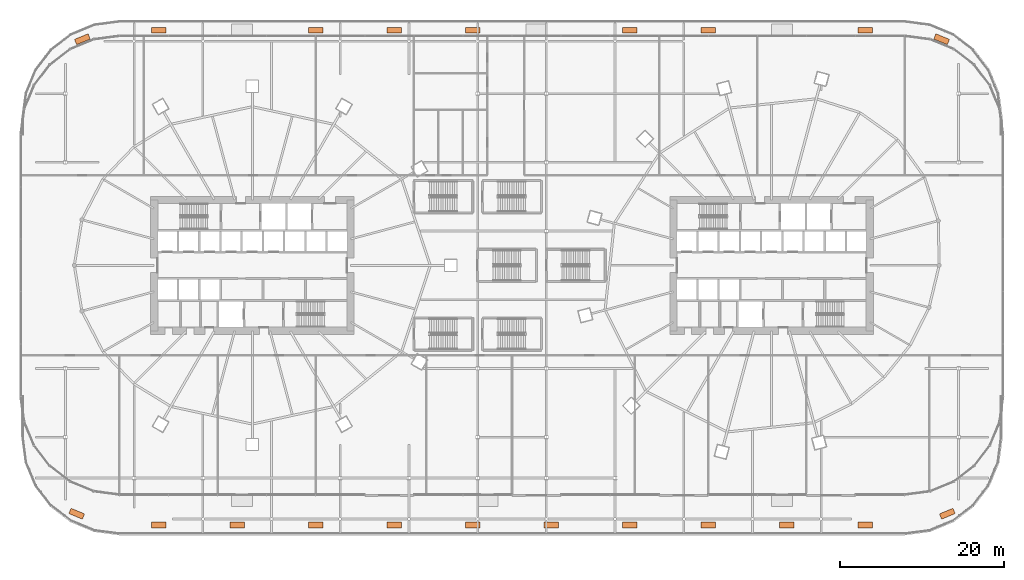
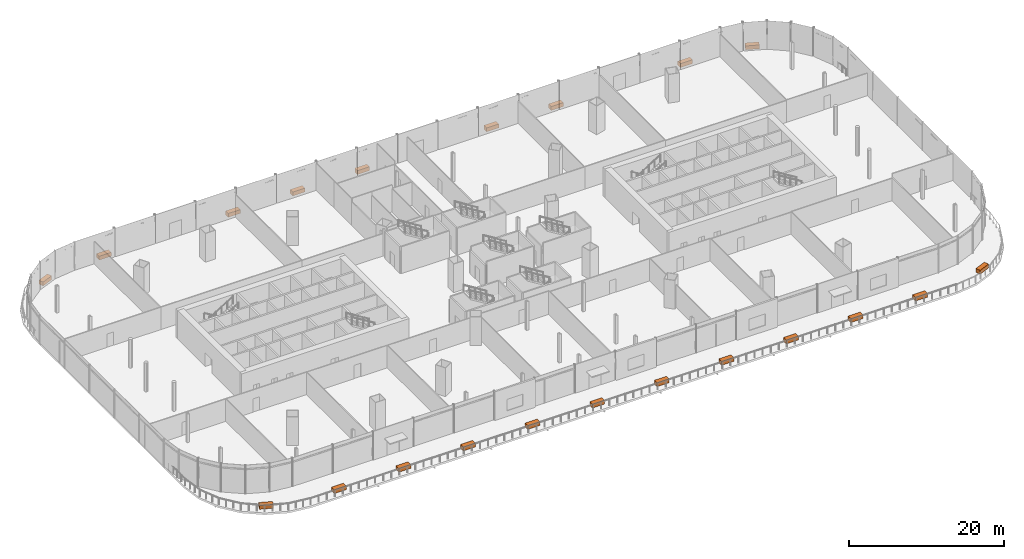
# One storey, part 52 of 52: 21 proxies.
"""IFC4 building model written with IfcOpenShell, lengths in metres."""

from ifc_helpers import new_model, si_unit, direction, frame, origin, origin_2d, place, context, subcontext, project, spatial, rectangle, extrude, material, type_object, element, save


model = new_model("IFC4")

# Units and contexts
model_context = context("Model", 3, precision=1e-05, world=origin(), true_north=direction((0.0, 1.0)))
body_context = subcontext(model_context, "Body", "Model", "MODEL_VIEW")
ifc_project = project(units=[si_unit("LENGTHUNIT", "METRE"), si_unit("AREAUNIT", "SQUARE_METRE"), si_unit("VOLUMEUNIT", "CUBIC_METRE"), si_unit("PLANEANGLEUNIT", "RADIAN"), si_unit("MASSUNIT", "GRAM", prefix="KILO")], contexts=[model_context])

# Site, building, storey
site_placement = place(None, origin())
site = spatial("IfcSite", under=ifc_project, at=site_placement, CompositionType="ELEMENT")
building_placement = place(site_placement, origin())
building = spatial("IfcBuilding", under=site, at=building_placement, Name="Rimbun Link Towers", CompositionType="ELEMENT")
storey_placement = place(building_placement, frame((0.0, 0.0, 21.0)))
storey = spatial("IfcBuildingStorey", under=building, at=storey_placement, Name="L04", CompositionType="ELEMENT", Elevation=21.0)

# Proxies
ifc_material = material(Name="Concrete C30/37", Category="concrete")
building_element_proxy_type = type_object("IfcBuildingElementProxyType", Name="PLANTER precast box 1800X700X600", PredefinedType="USERDEFINED", material=ifc_material)
for number, where, z_axis, x_axis, name in (
    (1, (-53.22021484375, -30.3623046875, 0.0), (0.0, 0.0, 1.0), (0.923881438965, -0.382678829747, 0.0), "PLANTER"),
    (2, (-43.188232421875, -31.75, 0.0), (0.0, 0.0, 1.0), (1.0, 0.0, 0.0), "PLANTER"),
    (3, (-33.5908203125, -31.75, 0.0), (0.0, 0.0, 1.0), (1.0, 0.0, 0.0), "PLANTER"),
    (4, (-23.993408203125, -31.75, 0.0), (0.0, 0.0, 1.0), (1.0, 0.0, 0.0), "PLANTER"),
    (5, (-14.39599609375, -31.75, 0.0), (0.0, 0.0, 1.0), (1.0, 0.0, 0.0), "PLANTER"),
    (6, (-4.798583984375, -31.75, 0.0), (0.0, 0.0, 1.0), (1.0, 0.0, 0.0), "PLANTER"),
    (7, (4.798583984375, -31.75, 0.0), (0.0, 0.0, 1.0), (1.0, 0.0, 0.0), "PLANTER"),
    (8, (14.39599609375, -31.75, 0.0), (0.0, 0.0, 1.0), (1.0, 0.0, 0.0), "PLANTER"),
    (9, (23.993408203125, -31.75, 0.0), (0.0, 0.0, 1.0), (1.0, 0.0, 0.0), "PLANTER"),
    (10, (33.5908203125, -31.75, 0.0), (0.0, 0.0, 1.0), (1.0, 0.0, 0.0), "PLANTER"),
    (11, (43.188232421875, -31.75, 0.0), (0.0, 0.0, 1.0), (1.0, 0.0, 0.0), "PLANTER"),
    (12, (53.22021484375, -30.3623046875, 0.0), (0.0, 0.0, 1.0), (0.923881438965, 0.382678829747, 0.0), "PLANTER"),
    (13, (52.52734375, 27.649169921875, 0.0), (0.0, 0.0, 1.0), (-0.923881438965, 0.382678829747, 0.0), "PLANTER"),
    (14, (43.188232421875, 28.75, 0.0), (0.0, 0.0, 1.0), (-1.0, 0.0, 0.0), "PLANTER"),
    (15, (23.993408203125, 28.75, 0.0), (0.0, 0.0, 1.0), (-1.0, 0.0, 0.0), "PLANTER"),
    (16, (14.39599609375, 28.75, 0.0), (0.0, 0.0, 1.0), (-1.0, 0.0, 0.0), "PLANTER"),
    (17, (-4.798583984375, 28.75, 0.0), (0.0, 0.0, 1.0), (-1.0, 0.0, 0.0), "PLANTER"),
    (18, (-14.39599609375, 28.75, 0.0), (0.0, 0.0, 1.0), (-1.0, 0.0, 0.0), "PLANTER"),
    (19, (-23.993408203125, 28.75, 0.0), (0.0, 0.0, 1.0), (-1.0, 0.0, 0.0), "PLANTER"),
    (20, (-43.188232421875, 28.75, 0.0), (0.0, 0.0, 1.0), (-1.0, 0.0, 0.0), "PLANTER"),
    (21, (-52.52734375, 27.649169921875, 0.0), (0.0, 0.0, 1.0), (-0.923881438965, -0.382678829747, 0.0), "PLANTER"),
):
    element("IfcBuildingElementProxy", number, at=place(storey_placement, frame(where, z_axis=z_axis, x_axis=x_axis)), inside=storey, type_object=building_element_proxy_type, Name=name, ObjectType="PLANTER", PredefinedType="USERDEFINED", context=body_context, shape_type="SweptSolid", body=[
        extrude(rectangle(XDim=1.800048828125, YDim=0.699951171875, at=origin_2d()), origin(), (0.0, 0.0, 1.0), 0.60009765625),
    ])

save(model, "model.ifc")
